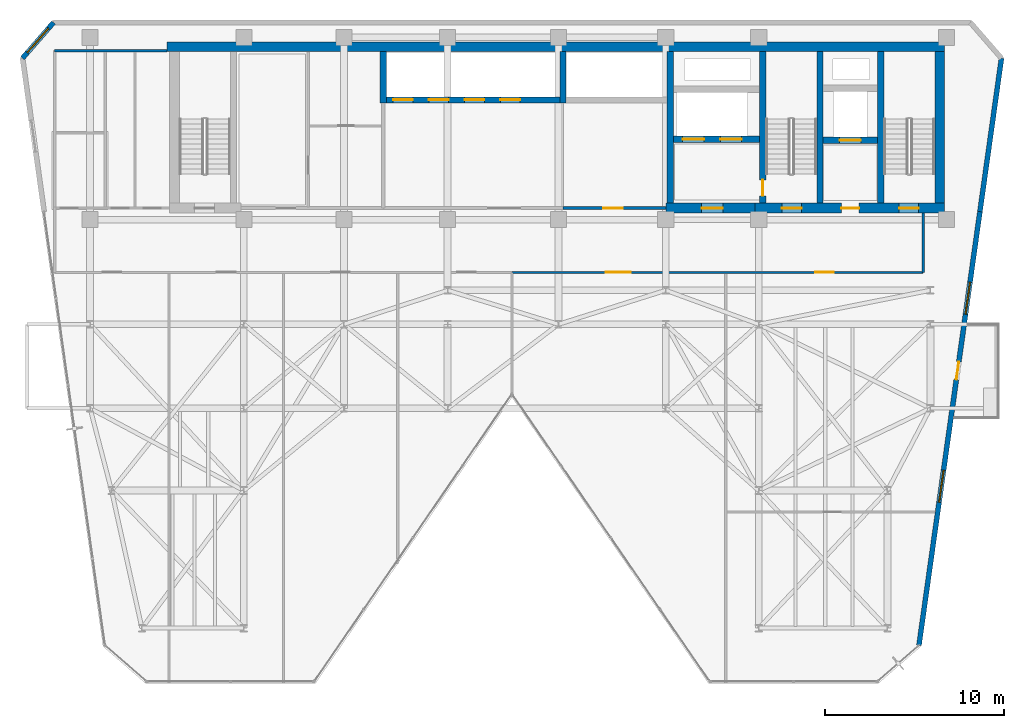
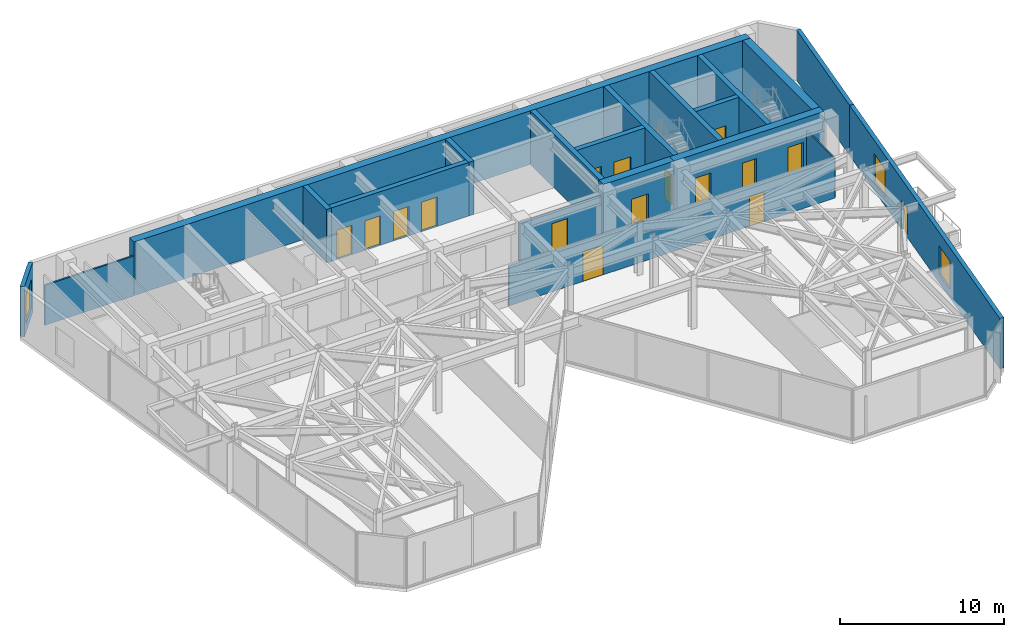
# One storey, part 23 of 27: 20 walls, 16 doors, 3 windows, 19 openings.
"""IFC4 building model written with IfcOpenShell, lengths in metres."""

from ifc_helpers import new_model, si_unit, direction, frame, frame_2d, origin, place, context, subcontext, project, spatial, rectangle, extrude, material, layer, layer_set, type_object, element, fill, save


model = new_model("IFC4")

# Units and contexts
model_context = context("Model", 3, precision=1e-05, world=origin(), true_north=direction((0.0, 1.0)))
body_context = subcontext(model_context, "Body", "Model", "MODEL_VIEW")
ifc_project = project(units=[si_unit("LENGTHUNIT", "METRE"), si_unit("AREAUNIT", "SQUARE_METRE"), si_unit("VOLUMEUNIT", "CUBIC_METRE"), si_unit("PLANEANGLEUNIT", "RADIAN"), si_unit("MASSUNIT", "GRAM", prefix="KILO")], contexts=[model_context])

# Site, building, storey
site_placement = place(None, origin())
site = spatial("IfcSite", under=ifc_project, at=site_placement, CompositionType="ELEMENT")
building_placement = place(site_placement, origin())
building = spatial("IfcBuilding", under=site, at=building_placement, Name="Kravanh Interchange Tower", CompositionType="ELEMENT")
storey_placement = place(building_placement, frame((0.0, 0.0, 164.5)))
storey = spatial("IfcBuildingStorey", under=building, at=storey_placement, Name="L39", CompositionType="ELEMENT", Elevation=164.5)

# Wall
ifc_material_1 = material(Name="Double Acoustic Gypsum Board and Mineral Wool")
ifc_layer_1 = layer(ifc_material_1, 0.1201171875)
ifc_layer_set_1 = layer_set([ifc_layer_1], Name="Acoustic Office Drywall Partition 120mm")
wall_type_1 = type_object("IfcWallType", Name="Acoustic Office Drywall Partition 120mm", PredefinedType="PARTITIONING", material=ifc_layer_set_1)
wall_1_placement = place(storey_placement, frame((16.6201171875, 46.800048828125, 0.0), z_axis=(0.0, 0.0, 1.0), x_axis=(1.0, 0.0, 0.0)))
element("IfcWall", 1, at=wall_1_placement, inside=storey, type_object=wall_type_1, Name="L39 Restroom North Enclosure 9", PredefinedType="PARTITIONING", context=body_context, shape_type="SweptSolid", body=[
    extrude(rectangle(XDim=6.27978515625, YDim=0.1201171875, at=frame_2d((3.139892578125, 0.0))), origin(), (0.0, 0.0, 1.0), 2.98193359375),
])

# Wall, openings, doors
wall_2_placement = place(storey_placement, frame((42.199951171875, 34.39990234375, 0.0), z_axis=(0.0, 0.0, 1.0), x_axis=(1.0, 0.0, 0.0)))
wall_2 = element("IfcWall", 2, at=wall_2_placement, inside=storey, type_object=wall_type_1, Name="L39 Interior Partition 14", PredefinedType="PARTITIONING", context=body_context, shape_type="SweptSolid", body=[
    extrude(rectangle(XDim=23.0, YDim=0.1201171875, at=frame_2d((11.5, 0.0))), origin(), (0.0, 0.0, 1.0), 2.98193359375),
])
opening_1_placement = place(wall_2_placement, frame((5.23974609375, 0.0, 0.0)))
opening_1 = element("IfcOpeningElement", 3, at=opening_1_placement, cuts=wall_2, Name="Opening DBL-140", PredefinedType="OPENING", context=body_context, shape_type="SweptSolid", body=[
    extrude(rectangle(XDim=1.39990234375, YDim=2.199951171875, at=frame_2d((0.699951171875, 1.10009765625))), frame((0.0, 0.070068359375, 0.0), z_axis=(0.0, -1.0, 0.0), x_axis=(1.0, 0.0, 0.0)), (0.0, 0.0, 1.0), 0.14013671875),
])
opening_2_placement = place(wall_2_placement, frame((16.955078125, 0.0, 0.0)))
opening_2 = element("IfcOpeningElement", 4, at=opening_2_placement, cuts=wall_2, Name="Opening D-105", PredefinedType="OPENING", context=body_context, shape_type="SweptSolid", body=[
    extrude(rectangle(XDim=1.050048828125, YDim=2.199951171875, at=frame_2d((0.52490234375, 1.10009765625))), frame((0.0, 0.070068359375, 0.0), z_axis=(0.0, -1.0, 0.0), x_axis=(1.0, 0.0, 0.0)), (0.0, 0.0, 1.0), 0.14013671875),
])
ifc_material_2 = material(Name="Acoustic Bronze-Framed Glass", Category="glass")
door_type_1 = type_object("IfcDoorType", Name="Hospitality Lounge Double Door 1400x2200", OperationType="DOUBLE_DOOR_SINGLE_SWING", PredefinedType="DOOR", material=ifc_material_2)
door_1_placement = place(opening_1_placement, origin())
door_1 = element("IfcDoor", 5, at=door_1_placement, inside=storey, type_object=door_type_1, Name="L39 Executive Office 8E Door", OperationType="DOUBLE_DOOR_SINGLE_SWING", OverallHeight=2.199951171875, OverallWidth=1.39990234375, PredefinedType="DOOR", context=body_context, shape_type="SweptSolid", body=[
    extrude(rectangle(XDim=1.39990234375, YDim=2.199951171875, at=frame_2d((0.699951171875, 1.10009765625))), frame((0.0, 0.02490234375, 0.0), z_axis=(0.0, -1.0, 0.0), x_axis=(1.0, 0.0, 0.0)), (0.0, 0.0, 1.0), 0.050048828125),
])
fill(opening_1, door_1)
ifc_material_3 = material(Name="Acoustic Glazed Oak and Aluminium", Category="aluminium")
door_type_2 = type_object("IfcDoorType", Name="Office Workplace Door 1050x2200", OperationType="NOTDEFINED", PredefinedType="DOOR", material=ifc_material_3)
door_2_placement = place(opening_2_placement, origin())
door_2 = element("IfcDoor", 6, at=door_2_placement, inside=storey, type_object=door_type_2, Name="L39 East Balcony Office 8F Door", OperationType="SINGLE_SWING_LEFT", OverallHeight=2.199951171875, OverallWidth=1.050048828125, PredefinedType="DOOR", context=body_context, shape_type="SweptSolid", body=[
    extrude(rectangle(XDim=1.050048828125, YDim=2.199951171875, at=frame_2d((0.52490234375, 1.10009765625))), frame((0.0, 0.02490234375, 0.0), z_axis=(0.0, -1.0, 0.0), x_axis=(1.0, 0.0, 0.0)), (0.0, 0.0, 1.0), 0.050048828125),
])
fill(opening_2, door_2)

# Walls
wall_3_placement = place(storey_placement, frame((65.199951171875, 34.39990234375, 0.0), z_axis=(0.0, 0.0, 1.0), x_axis=(0.0, 1.0, 0.0)))
element("IfcWall", 7, at=wall_3_placement, inside=storey, type_object=wall_type_1, Name="L39 Interior Partition 16", PredefinedType="PARTITIONING", context=body_context, shape_type="SweptSolid", body=[
    extrude(rectangle(XDim=3.317138671875, YDim=0.1201171875, at=frame_2d((1.65869140625, 0.0))), origin(), (0.0, 0.0, 1.0), 2.98193359375),
])
ifc_material_4 = material(Name="Concrete C60/75", Category="concrete")
ifc_layer_2 = layer(ifc_material_4, 0.35009765625)
ifc_layer_set_2 = layer_set([ifc_layer_2], Name="Core Shear Wall Concrete C60/75 350mm")
wall_type_2 = type_object("IfcWallType", Name="Core Shear Wall Concrete C60/75 350mm", PredefinedType="SHEAR", material=ifc_layer_set_2)
for number, where, z_axis, x_axis, name in (
    (8, (62.824951171875, 38.27490234375, 0.0), (0.0, 0.0, 1.0), (0.0, 1.0, 0.0), "L39 Stair ST1 West Shear Wall"),
    (9, (59.425048828125, 38.27490234375, 0.0), (0.0, 0.0, 1.0), (0.0, 1.0, 0.0), "L39 Stair ST2 East Shear Wall"),
):
    element("IfcWall", number, at=place(storey_placement, frame(where, z_axis=z_axis, x_axis=x_axis)), inside=storey, type_object=wall_type_2, Name=name, PredefinedType="SHEAR", context=body_context, shape_type="SweptSolid", body=[
        extrude(rectangle(XDim=8.47509765625, YDim=0.35009765625, at=frame_2d((4.237548828125, 0.0))), origin(), (0.0, 0.0, 1.0), 4.0),
    ])

# Wall, opening, door
wall_4_placement = place(storey_placement, frame((56.22509765625, 38.27490234375, 0.0), z_axis=(0.0, 0.0, 1.0), x_axis=(0.0, 1.0, 0.0)))
wall_4 = element("IfcWall", 10, at=wall_4_placement, inside=storey, type_object=wall_type_2, Name="L39 Stair ST2 West Shear Wall", PredefinedType="SHEAR", context=body_context, shape_type="SweptSolid", body=[
    extrude(rectangle(XDim=8.47509765625, YDim=0.35009765625, at=frame_2d((4.237548828125, 0.0))), origin(), (0.0, 0.0, 1.0), 4.0),
])
opening_3_placement = place(wall_4_placement, frame((0.405029296875, 0.0, 0.0)))
opening_3 = element("IfcOpeningElement", 11, at=opening_3_placement, cuts=wall_4, Name="Opening D-STAIR-90", PredefinedType="OPENING", context=body_context, shape_type="SweptSolid", body=[
    extrude(rectangle(XDim=0.89990234375, YDim=2.14990234375, at=frame_2d((0.449951171875, 1.074951171875))), frame((0.0, 0.18505859375, 0.0), z_axis=(0.0, -1.0, 0.0), x_axis=(1.0, 0.0, 0.0)), (0.0, 0.0, 1.0), 0.3701171875),
])
ifc_material_5 = material(Name="Structural Steel S355", Category="steel")
door_type_3 = type_object("IfcDoorType", Name="Fire-Rated Stair Lobby Door 900x2150", OperationType="NOTDEFINED", PredefinedType="DOOR", material=ifc_material_5)
door_3_placement = place(opening_3_placement, origin())
door_3 = element("IfcDoor", 12, at=door_3_placement, inside=storey, type_object=door_type_3, Name="L39 Firefighting Lobby to Stair ST2 Door", OperationType="SINGLE_SWING_LEFT", OverallHeight=2.14990234375, OverallWidth=0.89990234375, PredefinedType="DOOR", context=body_context, shape_type="SweptSolid", body=[
    extrude(rectangle(XDim=0.89990234375, YDim=2.14990234375, at=frame_2d((0.449951171875, 1.074951171875))), frame((0.0, 0.02490234375, 0.0), z_axis=(0.0, -1.0, 0.0), x_axis=(1.0, 0.0, 0.0)), (0.0, 0.0, 1.0), 0.050048828125),
])
fill(opening_3, door_3)

wall_5_placement = place(storey_placement, frame((59.60009765625, 41.800048828125, 0.0), z_axis=(0.0, 0.0, 1.0), x_axis=(1.0, 0.0, 0.0)))
wall_5 = element("IfcWall", 13, at=wall_5_placement, inside=storey, type_object=wall_type_2, Name="L39 Service Lift Shaft South Wall", PredefinedType="SHEAR", context=body_context, shape_type="SweptSolid", body=[
    extrude(rectangle(XDim=3.0498046875, YDim=0.35009765625, at=frame_2d((1.52490234375, 0.0))), origin(), (0.0, 0.0, 1.0), 4.0),
])
opening_4_placement = place(wall_5_placement, frame((0.919921875, 0.0, 0.0)))
opening_4 = element("IfcOpeningElement", 14, at=opening_4_placement, cuts=wall_5, Name="Opening LD02", PredefinedType="OPENING", context=body_context, shape_type="SweptSolid", body=[
    extrude(rectangle(XDim=1.199951171875, YDim=2.199951171875, at=frame_2d((0.60009765625, 1.10009765625))), frame((0.0, 0.18505859375, 0.0), z_axis=(0.0, -1.0, 0.0), x_axis=(1.0, 0.0, 0.0)), (0.0, 0.0, 1.0), 0.3701171875),
])
ifc_material_6 = material(Name="Stainless Steel 316", Category="steel")
door_type_4 = type_object("IfcDoorType", Name="Fire and Service Lift Sliding Landing Door 1200x2200", OperationType="DOUBLE_DOOR_SLIDING", PredefinedType="DOOR", material=ifc_material_6)
door_4_placement = place(opening_4_placement, origin())
door_4 = element("IfcDoor", 15, at=door_4_placement, inside=storey, type_object=door_type_4, Name="L39 Lift LS-01 Landing Door", OperationType="DOUBLE_DOOR_SLIDING", OverallHeight=2.199951171875, OverallWidth=1.199951171875, PredefinedType="DOOR", context=body_context, shape_type="SweptSolid", body=[
    extrude(rectangle(XDim=1.199951171875, YDim=2.199951171875, at=frame_2d((0.60009765625, 1.10009765625))), frame((0.0, 0.02490234375, 0.0), z_axis=(0.0, -1.0, 0.0), x_axis=(1.0, 0.0, 0.0)), (0.0, 0.0, 1.0), 0.050048828125),
])
fill(opening_4, door_4)

# Wall, openings, doors
wall_6_placement = place(storey_placement, frame((51.22509765625, 41.85009765625, 0.0), z_axis=(0.0, 0.0, 1.0), x_axis=(1.0, 0.0, 0.0)))
wall_6 = element("IfcWall", 16, at=wall_6_placement, inside=storey, type_object=wall_type_2, Name="L39 Fire Lift Shaft South Wall", PredefinedType="SHEAR", context=body_context, shape_type="SweptSolid", body=[
    extrude(rectangle(XDim=4.824951171875, YDim=0.35009765625, at=frame_2d((2.41259765625, 0.0))), origin(), (0.0, 0.0, 1.0), 4.0),
])
opening_5_placement = place(wall_6_placement, frame((0.52490234375, 0.0, 0.0)))
opening_5 = element("IfcOpeningElement", 17, at=opening_5_placement, cuts=wall_6, Name="Opening LD02", PredefinedType="OPENING", context=body_context, shape_type="SweptSolid", body=[
    extrude(rectangle(XDim=1.199951171875, YDim=2.199951171875, at=frame_2d((0.60009765625, 1.10009765625))), frame((0.0, 0.18505859375, 0.0), z_axis=(0.0, -1.0, 0.0), x_axis=(1.0, 0.0, 0.0)), (0.0, 0.0, 1.0), 0.3701171875),
])
opening_6_placement = place(wall_6_placement, frame((2.625, 0.0, 0.0)))
opening_6 = element("IfcOpeningElement", 18, at=opening_6_placement, cuts=wall_6, Name="Opening LD02", PredefinedType="OPENING", context=body_context, shape_type="SweptSolid", body=[
    extrude(rectangle(XDim=1.199951171875, YDim=2.199951171875, at=frame_2d((0.60009765625, 1.10009765625))), frame((0.0, 0.18505859375, 0.0), z_axis=(0.0, -1.0, 0.0), x_axis=(1.0, 0.0, 0.0)), (0.0, 0.0, 1.0), 0.3701171875),
])
door_5_placement = place(opening_5_placement, origin())
door_5 = element("IfcDoor", 19, at=door_5_placement, inside=storey, type_object=door_type_4, Name="L39 Lift FSAE-01 Landing Door", OperationType="DOUBLE_DOOR_SLIDING", OverallHeight=2.199951171875, OverallWidth=1.199951171875, PredefinedType="DOOR", context=body_context, shape_type="SweptSolid", body=[
    extrude(rectangle(XDim=1.199951171875, YDim=2.199951171875, at=frame_2d((0.60009765625, 1.10009765625))), frame((0.0, 0.02490234375, 0.0), z_axis=(0.0, -1.0, 0.0), x_axis=(1.0, 0.0, 0.0)), (0.0, 0.0, 1.0), 0.050048828125),
])
fill(opening_5, door_5)
door_6_placement = place(opening_6_placement, origin())
door_6 = element("IfcDoor", 20, at=door_6_placement, inside=storey, type_object=door_type_4, Name="L39 Lift FSAE-02 Landing Door", OperationType="DOUBLE_DOOR_SLIDING", OverallHeight=2.199951171875, OverallWidth=1.199951171875, PredefinedType="DOOR", context=body_context, shape_type="SweptSolid", body=[
    extrude(rectangle(XDim=1.199951171875, YDim=2.199951171875, at=frame_2d((0.60009765625, 1.10009765625))), frame((0.0, 0.02490234375, 0.0), z_axis=(0.0, -1.0, 0.0), x_axis=(1.0, 0.0, 0.0)), (0.0, 0.0, 1.0), 0.050048828125),
])
fill(opening_6, door_6)

# Walls
wall_7_placement = place(storey_placement, frame((51.050048828125, 38.27490234375, 0.0), z_axis=(0.0, 0.0, 1.0), x_axis=(0.0, 1.0, 0.0)))
element("IfcWall", 21, at=wall_7_placement, inside=storey, type_object=wall_type_2, Name="L39 Firefighting Lobby West Wall", PredefinedType="SHEAR", context=body_context, shape_type="SweptSolid", body=[
    extrude(rectangle(XDim=8.47509765625, YDim=0.35009765625, at=frame_2d((4.237548828125, 0.0))), origin(), (0.0, 0.0, 1.0), 4.0),
])
wall_8_placement = place(storey_placement, frame((45.050048828125, 43.875, 0.0), z_axis=(0.0, 0.0, 1.0), x_axis=(0.0, 1.0, 0.0)))
element("IfcWall", 22, at=wall_8_placement, inside=storey, type_object=wall_type_2, Name="L39 High-Rise Lift Shaft West Wall", PredefinedType="SHEAR", context=body_context, shape_type="SweptSolid", body=[
    extrude(rectangle(XDim=2.875, YDim=0.35009765625, at=frame_2d((1.4375, 0.0))), origin(), (0.0, 0.0, 1.0), 4.0),
])

# Wall, openings, doors
wall_9_placement = place(storey_placement, frame((35.175048828125, 44.050048828125, 0.0), z_axis=(0.0, 0.0, 1.0), x_axis=(1.0, 0.0, 0.0)))
wall_9 = element("IfcWall", 23, at=wall_9_placement, inside=storey, type_object=wall_type_2, Name="L39 Mid-Rise Lift Shaft South Wall", PredefinedType="SHEAR", context=body_context, shape_type="SweptSolid", body=[
    extrude(rectangle(XDim=9.699951171875, YDim=0.35009765625, at=frame_2d((4.85009765625, 0.0))), origin(), (0.0, 0.0, 1.0), 4.0),
])
opening_7_placement = place(wall_9_placement, frame((0.375, 0.0, 0.0)))
opening_7 = element("IfcOpeningElement", 24, at=opening_7_placement, cuts=wall_9, Name="Opening LD01", PredefinedType="OPENING", context=body_context, shape_type="SweptSolid", body=[
    extrude(rectangle(XDim=1.10009765625, YDim=2.199951171875, at=frame_2d((0.550048828125, 1.10009765625))), frame((0.0, 0.18505859375, 0.0), z_axis=(0.0, -1.0, 0.0), x_axis=(1.0, 0.0, 0.0)), (0.0, 0.0, 1.0), 0.3701171875),
])
opening_8_placement = place(wall_9_placement, frame((2.375, 0.0, 0.0)))
opening_8 = element("IfcOpeningElement", 25, at=opening_8_placement, cuts=wall_9, Name="Opening LD01", PredefinedType="OPENING", context=body_context, shape_type="SweptSolid", body=[
    extrude(rectangle(XDim=1.10009765625, YDim=2.199951171875, at=frame_2d((0.550048828125, 1.10009765625))), frame((0.0, 0.18505859375, 0.0), z_axis=(0.0, -1.0, 0.0), x_axis=(1.0, 0.0, 0.0)), (0.0, 0.0, 1.0), 0.3701171875),
])
opening_9_placement = place(wall_9_placement, frame((4.375, 0.0, 0.0)))
opening_9 = element("IfcOpeningElement", 26, at=opening_9_placement, cuts=wall_9, Name="Opening LD01", PredefinedType="OPENING", context=body_context, shape_type="SweptSolid", body=[
    extrude(rectangle(XDim=1.10009765625, YDim=2.199951171875, at=frame_2d((0.550048828125, 1.10009765625))), frame((0.0, 0.18505859375, 0.0), z_axis=(0.0, -1.0, 0.0), x_axis=(1.0, 0.0, 0.0)), (0.0, 0.0, 1.0), 0.3701171875),
])
opening_10_placement = place(wall_9_placement, frame((6.375, 0.0, 0.0)))
opening_10 = element("IfcOpeningElement", 27, at=opening_10_placement, cuts=wall_9, Name="Opening LD01", PredefinedType="OPENING", context=body_context, shape_type="SweptSolid", body=[
    extrude(rectangle(XDim=1.10009765625, YDim=2.199951171875, at=frame_2d((0.550048828125, 1.10009765625))), frame((0.0, 0.18505859375, 0.0), z_axis=(0.0, -1.0, 0.0), x_axis=(1.0, 0.0, 0.0)), (0.0, 0.0, 1.0), 0.3701171875),
])
ifc_material_7 = material(Name="Stainless Steel 304", Category="steel")
door_type_5 = type_object("IfcDoorType", Name="Passenger Lift Sliding Landing Door 1100x2200", OperationType="DOUBLE_DOOR_SLIDING", PredefinedType="DOOR", material=ifc_material_7)
door_7_placement = place(opening_7_placement, origin())
door_7 = element("IfcDoor", 28, at=door_7_placement, inside=storey, type_object=door_type_5, Name="L39 Lift LP-M1 Landing Door", OperationType="DOUBLE_DOOR_SLIDING", OverallHeight=2.199951171875, OverallWidth=1.10009765625, PredefinedType="DOOR", context=body_context, shape_type="SweptSolid", body=[
    extrude(rectangle(XDim=1.10009765625, YDim=2.199951171875, at=frame_2d((0.550048828125, 1.10009765625))), frame((0.0, 0.02490234375, 0.0), z_axis=(0.0, -1.0, 0.0), x_axis=(1.0, 0.0, 0.0)), (0.0, 0.0, 1.0), 0.050048828125),
])
fill(opening_7, door_7)
door_8_placement = place(opening_8_placement, origin())
door_8 = element("IfcDoor", 29, at=door_8_placement, inside=storey, type_object=door_type_5, Name="L39 Lift LP-M2 Landing Door", OperationType="DOUBLE_DOOR_SLIDING", OverallHeight=2.199951171875, OverallWidth=1.10009765625, PredefinedType="DOOR", context=body_context, shape_type="SweptSolid", body=[
    extrude(rectangle(XDim=1.10009765625, YDim=2.199951171875, at=frame_2d((0.550048828125, 1.10009765625))), frame((0.0, 0.02490234375, 0.0), z_axis=(0.0, -1.0, 0.0), x_axis=(1.0, 0.0, 0.0)), (0.0, 0.0, 1.0), 0.050048828125),
])
fill(opening_8, door_8)
door_9_placement = place(opening_9_placement, origin())
door_9 = element("IfcDoor", 30, at=door_9_placement, inside=storey, type_object=door_type_5, Name="L39 Lift LP-M3 Landing Door", OperationType="DOUBLE_DOOR_SLIDING", OverallHeight=2.199951171875, OverallWidth=1.10009765625, PredefinedType="DOOR", context=body_context, shape_type="SweptSolid", body=[
    extrude(rectangle(XDim=1.10009765625, YDim=2.199951171875, at=frame_2d((0.550048828125, 1.10009765625))), frame((0.0, 0.02490234375, 0.0), z_axis=(0.0, -1.0, 0.0), x_axis=(1.0, 0.0, 0.0)), (0.0, 0.0, 1.0), 0.050048828125),
])
fill(opening_9, door_9)
door_10_placement = place(opening_10_placement, origin())
door_10 = element("IfcDoor", 31, at=door_10_placement, inside=storey, type_object=door_type_5, Name="L39 Lift LP-M4 Landing Door", OperationType="DOUBLE_DOOR_SLIDING", OverallHeight=2.199951171875, OverallWidth=1.10009765625, PredefinedType="DOOR", context=body_context, shape_type="SweptSolid", body=[
    extrude(rectangle(XDim=1.10009765625, YDim=2.199951171875, at=frame_2d((0.550048828125, 1.10009765625))), frame((0.0, 0.02490234375, 0.0), z_axis=(0.0, -1.0, 0.0), x_axis=(1.0, 0.0, 0.0)), (0.0, 0.0, 1.0), 0.050048828125),
])
fill(opening_10, door_10)

# Walls
wall_10_placement = place(storey_placement, frame((35.0, 43.875, 0.0), z_axis=(0.0, 0.0, 1.0), x_axis=(0.0, 1.0, 0.0)))
element("IfcWall", 32, at=wall_10_placement, inside=storey, type_object=wall_type_2, Name="L39 Mid-Rise Lift Shaft West Wall", PredefinedType="SHEAR", context=body_context, shape_type="SweptSolid", body=[
    extrude(rectangle(XDim=2.875, YDim=0.35009765625, at=frame_2d((1.4375, 0.0))), origin(), (0.0, 0.0, 1.0), 4.0),
])
ifc_material_8 = material(Name="Concrete C70/85", Category="concrete")
ifc_layer_3 = layer(ifc_material_8, 0.550048828125)
ifc_layer_set_3 = layer_set([ifc_layer_3], Name="Core Shear Wall Concrete C70/85 550mm")
wall_type_3 = type_object("IfcWallType", Name="Core Shear Wall Concrete C70/85 550mm", PredefinedType="SHEAR", material=ifc_layer_set_3)
wall_11_placement = place(storey_placement, frame((22.89990234375, 47.02490234375, 0.0), z_axis=(0.0, 0.0, 1.0), x_axis=(1.0, 0.0, 0.0)))
element("IfcWall", 33, at=wall_11_placement, inside=storey, type_object=wall_type_3, Name="L39 North Core Shear Wall", PredefinedType="SHEAR", context=body_context, shape_type="SweptSolid", body=[
    extrude(rectangle(XDim=43.5, YDim=0.550048828125, at=frame_2d((21.75, 0.0))), origin(), (0.0, 0.0, 1.0), 4.0),
])

# Wall, openings, doors
wall_12_placement = place(storey_placement, frame((55.800048828125, 38.0, 0.0), z_axis=(0.0, 0.0, 1.0), x_axis=(1.0, 0.0, 0.0)))
wall_12 = element("IfcWall", 34, at=wall_12_placement, inside=storey, type_object=wall_type_3, Name="L39 East Core South Shear Wall", PredefinedType="SHEAR", context=body_context, shape_type="SweptSolid", body=[
    extrude(rectangle(XDim=10.599853515625, YDim=0.550048828125, at=frame_2d((5.2998046875, 0.0))), origin(), (0.0, 0.0, 1.0), 4.0),
])
opening_11_placement = place(wall_12_placement, frame((1.5, 0.0, 0.0)))
opening_11 = element("IfcOpeningElement", 35, at=opening_11_placement, cuts=wall_12, Name="Opening D-STAIR-110", PredefinedType="OPENING", context=body_context, shape_type="SweptSolid", body=[
    extrude(rectangle(XDim=1.10009765625, YDim=2.199951171875, at=frame_2d((0.550048828125, 1.10009765625))), frame((0.0, 0.28515625, 0.0), z_axis=(0.0, -1.0, 0.0), x_axis=(1.0, 0.0, 0.0)), (0.0, 0.0, 1.0), 0.570068359375),
])
opening_12_placement = place(wall_12_placement, frame((4.820068359375, 0.0, 0.0)))
opening_12 = element("IfcOpeningElement", 36, at=opening_12_placement, cuts=wall_12, Name="Opening D-HOTEL-100", PredefinedType="OPENING", context=body_context, shape_type="SweptSolid", body=[
    extrude(rectangle(XDim=1.0, YDim=2.14990234375, at=frame_2d((0.5, 1.074951171875))), frame((0.0, 0.28515625, 0.0), z_axis=(0.0, -1.0, 0.0), x_axis=(1.0, 0.0, 0.0)), (0.0, 0.0, 1.0), 0.570068359375),
])
opening_13_placement = place(wall_12_placement, frame((8.050048828125, 0.0, 0.0)))
opening_13 = element("IfcOpeningElement", 37, at=opening_13_placement, cuts=wall_12, Name="Opening D-STAIR-110", PredefinedType="OPENING", context=body_context, shape_type="SweptSolid", body=[
    extrude(rectangle(XDim=1.10009765625, YDim=2.199951171875, at=frame_2d((0.550048828125, 1.10009765625))), frame((0.0, 0.28515625, 0.0), z_axis=(0.0, -1.0, 0.0), x_axis=(1.0, 0.0, 0.0)), (0.0, 0.0, 1.0), 0.570068359375),
])
ifc_material_9 = material(Name="Structural Steel S355", Category="steel")
door_type_6 = type_object("IfcDoorType", Name="Fire-Rated Exit Stair Door 1100x2200", OperationType="NOTDEFINED", PredefinedType="DOOR", material=ifc_material_9)
door_11_placement = place(opening_11_placement, origin())
door_11 = element("IfcDoor", 38, at=door_11_placement, inside=storey, type_object=door_type_6, Name="L39 Exit Stair ST2 Door", OperationType="SINGLE_SWING_RIGHT", OverallHeight=2.199951171875, OverallWidth=1.10009765625, PredefinedType="DOOR", context=body_context, shape_type="SweptSolid", body=[
    extrude(rectangle(XDim=1.10009765625, YDim=2.199951171875, at=frame_2d((0.550048828125, 1.10009765625))), frame((0.0, 0.02490234375, 0.0), z_axis=(0.0, -1.0, 0.0), x_axis=(1.0, 0.0, 0.0)), (0.0, 0.0, 1.0), 0.050048828125),
])
fill(opening_11, door_11)
door_12_placement = place(opening_13_placement, origin())
door_12 = element("IfcDoor", 39, at=door_12_placement, inside=storey, type_object=door_type_6, Name="L39 Exit Stair ST1 Door", OperationType="SINGLE_SWING_RIGHT", OverallHeight=2.199951171875, OverallWidth=1.10009765625, PredefinedType="DOOR", context=body_context, shape_type="SweptSolid", body=[
    extrude(rectangle(XDim=1.10009765625, YDim=2.199951171875, at=frame_2d((0.550048828125, 1.10009765625))), frame((0.0, 0.02490234375, 0.0), z_axis=(0.0, -1.0, 0.0), x_axis=(1.0, 0.0, 0.0)), (0.0, 0.0, 1.0), 0.050048828125),
])
fill(opening_13, door_12)
ifc_material_10 = material(Name="Fire-Rated Solid Timber Leaf", Category="wood")
door_type_7 = type_object("IfcDoorType", Name="Fire-Rated Suite Entrance Door 1000x2150", OperationType="NOTDEFINED", PredefinedType="DOOR", material=ifc_material_10)
door_13_placement = place(opening_12_placement, origin())
door_13 = element("IfcDoor", 40, at=door_13_placement, inside=storey, type_object=door_type_7, Name="L39 Service Lift Lobby Door", OperationType="SINGLE_SWING_RIGHT", OverallHeight=2.14990234375, OverallWidth=1.0, PredefinedType="DOOR", context=body_context, shape_type="SweptSolid", body=[
    extrude(rectangle(XDim=1.0, YDim=2.14990234375, at=frame_2d((0.5, 1.074951171875))), frame((0.0, 0.02490234375, 0.0), z_axis=(0.0, -1.0, 0.0), x_axis=(1.0, 0.0, 0.0)), (0.0, 0.0, 1.0), 0.050048828125),
])
fill(opening_12, door_13)

# Wall
wall_13_placement = place(storey_placement, frame((66.125, 38.27490234375, 0.0), z_axis=(0.0, 0.0, 1.0), x_axis=(0.0, 1.0, 0.0)))
element("IfcWall", 41, at=wall_13_placement, inside=storey, type_object=wall_type_3, Name="L39 Stair ST1 East Shear Wall", PredefinedType="SHEAR", context=body_context, shape_type="SweptSolid", body=[
    extrude(rectangle(XDim=8.47509765625, YDim=0.550048828125, at=frame_2d((4.237548828125, 0.0))), origin(), (0.0, 0.0, 1.0), 4.0),
])

# Wall, opening, door
wall_14_placement = place(storey_placement, frame((50.800048828125, 38.0, 0.0), z_axis=(0.0, 0.0, 1.0), x_axis=(1.0, 0.0, 0.0)))
wall_14 = element("IfcWall", 42, at=wall_14_placement, inside=storey, type_object=wall_type_3, Name="L39 Firefighting Lobby South Shear Wall", PredefinedType="SHEAR", context=body_context, shape_type="SweptSolid", body=[
    extrude(rectangle(XDim=5.0, YDim=0.550048828125, at=frame_2d((2.5, 0.0))), origin(), (0.0, 0.0, 1.0), 4.0),
])
opening_14_placement = place(wall_14_placement, frame((2.0, 0.0, 0.0)))
opening_14 = element("IfcOpeningElement", 43, at=opening_14_placement, cuts=wall_14, Name="Opening D-FSAE-120", PredefinedType="OPENING", context=body_context, shape_type="SweptSolid", body=[
    extrude(rectangle(XDim=1.199951171875, YDim=2.199951171875, at=frame_2d((0.60009765625, 1.10009765625))), frame((0.0, 0.28515625, 0.0), z_axis=(0.0, -1.0, 0.0), x_axis=(1.0, 0.0, 0.0)), (0.0, 0.0, 1.0), 0.570068359375),
])
ifc_material_11 = material(Name="Structural Steel S355", Category="steel")
door_type_8 = type_object("IfcDoorType", Name="Fire-Rated Refuge and FSAE Door 1200x2200", OperationType="NOTDEFINED", PredefinedType="DOOR", material=ifc_material_11)
door_14_placement = place(opening_14_placement, origin())
door_14 = element("IfcDoor", 44, at=door_14_placement, inside=storey, type_object=door_type_8, Name="L39 Firefighting Lobby Corridor Door", OperationType="SINGLE_SWING_RIGHT", OverallHeight=2.199951171875, OverallWidth=1.199951171875, PredefinedType="DOOR", context=body_context, shape_type="SweptSolid", body=[
    extrude(rectangle(XDim=1.199951171875, YDim=2.199951171875, at=frame_2d((0.60009765625, 1.10009765625))), frame((0.0, 0.02490234375, 0.0), z_axis=(0.0, -1.0, 0.0), x_axis=(1.0, 0.0, 0.0)), (0.0, 0.0, 1.0), 0.050048828125),
])
fill(opening_14, door_14)

# Wall, opening, window
ifc_material_12 = material(Name="Insulated Precast Concrete C40/50 with Bronze Cladding", Category="concrete")
ifc_layer_4 = layer(ifc_material_12, 0.280029296875)
ifc_layer_set_4 = layer_set([ifc_layer_4], Name="Exterior Insulated Concrete C40/50 Bronze Spandrel Wall 280mm")
wall_type_4 = type_object("IfcWallType", Name="Exterior Insulated Concrete C40/50 Bronze Spandrel Wall 280mm", PredefinedType="STANDARD", material=ifc_layer_set_4)
wall_15_placement = place(storey_placement, frame((14.818603515625, 46.3828125, 0.0), z_axis=(0.0, 0.0, 1.0), x_axis=(0.656071351282, 0.754698868442, 0.0)))
wall_15 = element("IfcWall", 45, at=wall_15_placement, inside=storey, type_object=wall_type_4, Name="L39 Exterior Wall 2", PredefinedType="STANDARD", context=body_context, shape_type="SweptSolid", body=[
    extrude(rectangle(XDim=2.646240234375, YDim=0.280029296875, at=frame_2d((1.3232421875, 0.0))), origin(), (0.0, 0.0, 1.0), 3.7548828125),
])
opening_15_placement = place(wall_15_placement, frame((0.41552734375, 0.0, 0.64990234375)))
opening_15 = element("IfcOpeningElement", 46, at=opening_15_placement, cuts=wall_15, Name="Opening WN-180X210", PredefinedType="OPENING", context=body_context, shape_type="SweptSolid", body=[
    extrude(rectangle(XDim=1.800048828125, YDim=2.10009765625, at=frame_2d((0.89990234375, 1.050048828125))), frame((0.0, 0.14990234375, 0.0), z_axis=(0.0, -1.0, 0.0), x_axis=(1.0, 0.0, 0.0)), (0.0, 0.0, 1.0), 0.300048828125),
])
ifc_material_13 = material(Name="Thermally Broken Bronze Aluminium and Low-E Glass", Category="aluminium")
window_type = type_object("IfcWindowType", Name="Tower Pier Window 1800x2100", PartitioningType="SINGLE_PANEL", PredefinedType="WINDOW", material=ifc_material_13)
window_1_placement = place(opening_15_placement, origin())
window_1 = element("IfcWindow", 47, at=window_1_placement, inside=storey, type_object=window_type, Name="L39 Corner Window 2", OverallHeight=2.10009765625, OverallWidth=1.800048828125, PartitioningType="SINGLE_PANEL", PredefinedType="WINDOW", context=body_context, shape_type="SweptSolid", body=[
    extrude(rectangle(XDim=1.800048828125, YDim=2.10009765625, at=frame_2d((0.89990234375, 1.050048828125))), frame((0.0, 0.030029296875, 0.0), z_axis=(0.0, -1.0, 0.0), x_axis=(1.0, 0.0, 0.0)), (0.0, 0.0, 1.0), 0.06005859375),
])
fill(opening_15, window_1)

# Wall
wall_16_placement = place(storey_placement, frame((69.581298828125, 46.3828125, 0.0), z_axis=(0.0, 0.0, 1.0), x_axis=(-0.13918102754, -0.990266954701, 0.0)))
element("IfcWall", 48, at=wall_16_placement, inside=storey, type_object=wall_type_4, Name="L39 Exterior Wall 5", PredefinedType="STANDARD", context=body_context, shape_type="SweptSolid", body=[
    extrude(rectangle(XDim=8.667236328125, YDim=0.280029296875, at=frame_2d((4.33349609375, 0.0))), origin(), (0.0, 0.0, 1.0), 3.7548828125),
])

# Wall, openings, door, windows
wall_17_placement = place(storey_placement, frame((68.375, 37.800048828125, 0.0), z_axis=(0.0, 0.0, 1.0), x_axis=(-0.139173290738, -0.99026804207, 0.0)))
wall_17 = element("IfcWall", 49, at=wall_17_placement, inside=storey, type_object=wall_type_4, Name="L39 Exterior Wall 6", PredefinedType="STANDARD", context=body_context, shape_type="SweptSolid", body=[
    extrude(rectangle(XDim=24.497802734375, YDim=0.280029296875, at=frame_2d((12.2490234375, 0.0))), origin(), (0.0, 0.0, 1.0), 3.7548828125),
])
opening_16_placement = place(wall_17_placement, frame((8.480712890625, 0.0, 0.0)))
opening_16 = element("IfcOpeningElement", 50, at=opening_16_placement, cuts=wall_17, Name="Opening ED-BAL100", PredefinedType="OPENING", context=body_context, shape_type="SweptSolid", body=[
    extrude(rectangle(XDim=1.0, YDim=2.14990234375, at=frame_2d((0.5, 1.074951171875))), frame((0.0, 0.14990234375, 0.0), z_axis=(0.0, -1.0, 0.0), x_axis=(1.0, 0.0, 0.0)), (0.0, 0.0, 1.0), 0.300048828125),
])
opening_17_placement = place(wall_17_placement, frame((3.98974609375, 0.0, 0.64990234375)))
opening_17 = element("IfcOpeningElement", 51, at=opening_17_placement, cuts=wall_17, Name="Opening WN-180X210", PredefinedType="OPENING", context=body_context, shape_type="SweptSolid", body=[
    extrude(rectangle(XDim=1.800048828125, YDim=2.10009765625, at=frame_2d((0.89990234375, 1.050048828125))), frame((0.0, 0.14990234375, 0.0), z_axis=(0.0, -1.0, 0.0), x_axis=(1.0, 0.0, 0.0)), (0.0, 0.0, 1.0), 0.300048828125),
])
opening_18_placement = place(wall_17_placement, frame((14.606201171875, 0.0, 0.64990234375)))
opening_18 = element("IfcOpeningElement", 52, at=opening_18_placement, cuts=wall_17, Name="Opening WN-180X210", PredefinedType="OPENING", context=body_context, shape_type="SweptSolid", body=[
    extrude(rectangle(XDim=1.800048828125, YDim=2.10009765625, at=frame_2d((0.89990234375, 1.050048828125))), frame((0.0, 0.14990234375, 0.0), z_axis=(0.0, -1.0, 0.0), x_axis=(1.0, 0.0, 0.0)), (0.0, 0.0, 1.0), 0.300048828125),
])
ifc_material_14 = material(Name="Thermally Broken Bronze Aluminium and Laminated Glass", Category="aluminium")
door_type_9 = type_object("IfcDoorType", Name="Balcony Glazed Door 1000x2150", OperationType="NOTDEFINED", PredefinedType="DOOR", material=ifc_material_14)
door_15_placement = place(opening_16_placement, origin())
door_15 = element("IfcDoor", 53, at=door_15_placement, inside=storey, type_object=door_type_9, Name="L39 E Tree Balcony Access Door", OperationType="SINGLE_SWING_LEFT", OverallHeight=2.14990234375, OverallWidth=1.0, PredefinedType="DOOR", context=body_context, shape_type="SweptSolid", body=[
    extrude(rectangle(XDim=1.0, YDim=2.14990234375, at=frame_2d((0.5, 1.074951171875))), frame((0.0, 0.02490234375, 0.0), z_axis=(0.0, -1.0, 0.0), x_axis=(1.0, 0.0, 0.0)), (0.0, 0.0, 1.0), 0.050048828125),
])
fill(opening_16, door_15)
window_2_placement = place(opening_17_placement, origin())
window_2 = element("IfcWindow", 54, at=window_2_placement, inside=storey, type_object=window_type, Name="L39 Facade Window 6A", OverallHeight=2.10009765625, OverallWidth=1.800048828125, PartitioningType="SINGLE_PANEL", PredefinedType="WINDOW", context=body_context, shape_type="SweptSolid", body=[
    extrude(rectangle(XDim=1.800048828125, YDim=2.10009765625, at=frame_2d((0.89990234375, 1.050048828125))), frame((0.0, 0.030029296875, 0.0), z_axis=(0.0, -1.0, 0.0), x_axis=(1.0, 0.0, 0.0)), (0.0, 0.0, 1.0), 0.06005859375),
])
fill(opening_17, window_2)
window_3_placement = place(opening_18_placement, origin())
window_3 = element("IfcWindow", 55, at=window_3_placement, inside=storey, type_object=window_type, Name="L39 Facade Window 6B", OverallHeight=2.10009765625, OverallWidth=1.800048828125, PartitioningType="SINGLE_PANEL", PredefinedType="WINDOW", context=body_context, shape_type="SweptSolid", body=[
    extrude(rectangle(XDim=1.800048828125, YDim=2.10009765625, at=frame_2d((0.89990234375, 1.050048828125))), frame((0.0, 0.030029296875, 0.0), z_axis=(0.0, -1.0, 0.0), x_axis=(1.0, 0.0, 0.0)), (0.0, 0.0, 1.0), 0.06005859375),
])
fill(opening_18, window_3)

# Wall, opening, door
ifc_material_15 = material(Name="Autoclaved Aerated Concrete C30/37 Blockwork", Category="masonry")
ifc_layer_5 = layer(ifc_material_15, 0.179931640625)
ifc_layer_set_5 = layer_set([ifc_layer_5], Name="Fire-Rated Lobby and Corridor Wall Concrete C30/37 180mm")
wall_type_5 = type_object("IfcWallType", Name="Fire-Rated Lobby and Corridor Wall Concrete C30/37 180mm", PredefinedType="STANDARD", material=ifc_layer_set_5)
wall_18_placement = place(storey_placement, frame((45.050048828125, 38.0, 0.0), z_axis=(0.0, 0.0, 1.0), x_axis=(1.0, 0.0, 0.0)))
wall_18 = element("IfcWall", 56, at=wall_18_placement, inside=storey, type_object=wall_type_5, Name="L39 Core South Enclosure 1", PredefinedType="STANDARD", context=body_context, shape_type="SweptSolid", body=[
    extrude(rectangle(XDim=5.75, YDim=0.179931640625, at=frame_2d((2.875, 0.0))), origin(), (0.0, 0.0, 1.0), 2.98193359375),
])
opening_19_placement = place(wall_18_placement, frame((2.240478515625, 0.0, 0.0)))
opening_19 = element("IfcOpeningElement", 57, at=opening_19_placement, cuts=wall_18, Name="Opening D-SHAFT-110", PredefinedType="OPENING", context=body_context, shape_type="SweptSolid", body=[
    extrude(rectangle(XDim=1.10009765625, YDim=2.199951171875, at=frame_2d((0.550048828125, 1.10009765625))), frame((0.0, 0.10009765625, 0.0), z_axis=(0.0, -1.0, 0.0), x_axis=(1.0, 0.0, 0.0)), (0.0, 0.0, 1.0), 0.199951171875),
])
ifc_material_16 = material(Name="Fire-Rated Composite Timber Leaf", Category="wood")
door_type_10 = type_object("IfcDoorType", Name="Fire-Rated Core Support Door 1100x2200", OperationType="NOTDEFINED", PredefinedType="DOOR", material=ifc_material_16)
door_16_placement = place(opening_19_placement, origin())
door_16 = element("IfcDoor", 58, at=door_16_placement, inside=storey, type_object=door_type_10, Name="L39 Core AHU Fan Room Door", OperationType="SINGLE_SWING_RIGHT", OverallHeight=2.199951171875, OverallWidth=1.10009765625, PredefinedType="DOOR", context=body_context, shape_type="SweptSolid", body=[
    extrude(rectangle(XDim=1.10009765625, YDim=2.199951171875, at=frame_2d((0.550048828125, 1.10009765625))), frame((0.0, 0.02490234375, 0.0), z_axis=(0.0, -1.0, 0.0), x_axis=(1.0, 0.0, 0.0)), (0.0, 0.0, 1.0), 0.050048828125),
])
fill(opening_19, door_16)

save(model, "model.ifc")
